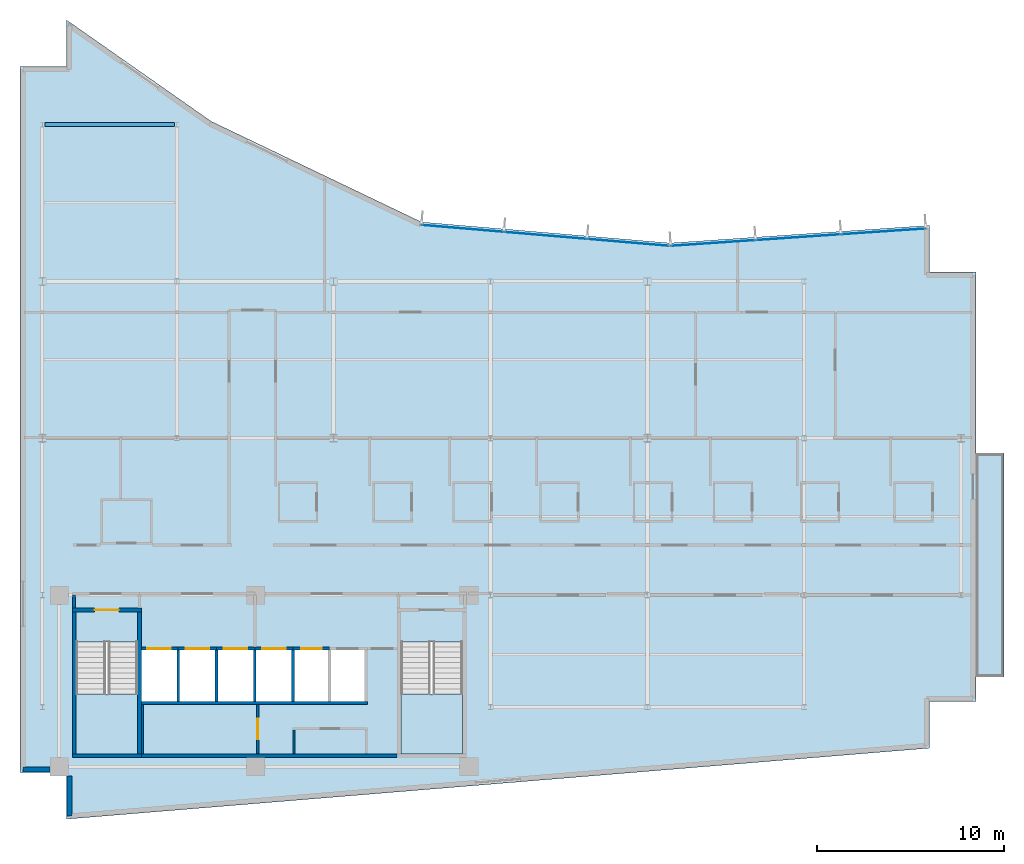
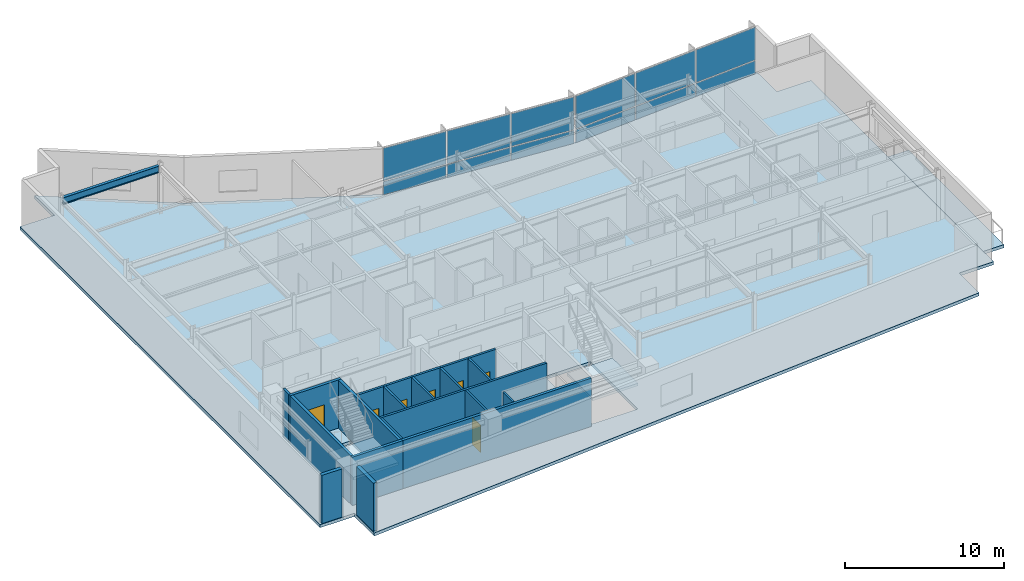
# One storey, part 8 of 15: 21 walls, 12 plates, 7 doors, 4 slabs, 1 beam, 7 openings, 4 elements without a shape of their own.
"""IFC4 building model written with IfcOpenShell, lengths in metres."""

from ifc_helpers import new_model, si_unit, direction, frame, frame_2d, origin, origin_2d, place, context, subcontext, project, spatial, polyline, rectangle, i_section, outline, extrude, material, layer, layer_set, material_profile, profile_set, type_object, element, fill, aggregate, save


model = new_model("IFC4")

# Units and contexts
model_context = context("Model", 3, precision=1e-05, world=origin(), true_north=direction((0.0, 1.0)))
body_context = subcontext(model_context, "Body", "Model", "MODEL_VIEW")
ifc_project = project(units=[si_unit("LENGTHUNIT", "METRE"), si_unit("AREAUNIT", "SQUARE_METRE"), si_unit("VOLUMEUNIT", "CUBIC_METRE"), si_unit("PLANEANGLEUNIT", "RADIAN"), si_unit("MASSUNIT", "GRAM", prefix="KILO")], contexts=[model_context])

# Site, building, storey
site_placement = place(None, origin())
site = spatial("IfcSite", under=ifc_project, at=site_placement, CompositionType="ELEMENT")
building_placement = place(site_placement, origin())
building = spatial("IfcBuilding", under=site, at=building_placement, Name="Varnakote Quay Hospital", CompositionType="ELEMENT")
storey_placement = place(building_placement, frame((0.0, 0.0, 196.050048828125)))
storey = spatial("IfcBuildingStorey", under=building, at=storey_placement, Name="L48", CompositionType="ELEMENT", Elevation=196.050048828125)

# Beam
ifc_material_1 = material(Name="Structural steel AS/NZS 3679.1 Grade 350 L0 (fy 340 MPa)", Category="steel")
ifc_material_profile = material_profile(ifc_material_1, i_section(OverallWidth=0.208984375, OverallDepth=0.532958984375, WebThickness=0.01025390625, FlangeThickness=0.015625, FilletRadius=0.013916015625, at=origin_2d()), Name="530UB92.4")
ifc_profile_set = profile_set([ifc_material_profile], Name="Structural steel AS/NZS 3679.1 Grade 350 L0 (fy 340 MPa)")
beam_type = type_object("IfcBeamType", Name="BM-STL-530UB92-4", PredefinedType="BEAM", material=ifc_profile_set)
beam_placement = place(storey_placement, frame((1.327880859375, 37.199951171875, 3.443359375), z_axis=(1.0, 0.0, 0.0), x_axis=(0.0, 1.0, 0.0)))
element("IfcBeam", 1, at=beam_placement, inside=storey, type_object=beam_type, Name="L48 Primary Floor Beam", PredefinedType="BEAM", context=body_context, shape_type="SweptSolid", body=[
    extrude(i_section(OverallWidth=0.208984375, OverallDepth=0.532958984375, WebThickness=0.01025390625, FlangeThickness=0.015625, FilletRadius=0.013916015625, at=origin_2d()), origin(), (0.0, 0.0, 1.0), 6.944091796875),
])

# Curtain wall, plates
ifc_material_2 = material(Name="Anodised aluminium 6063-T6 Bronze", Category="aluminium")
ifc_layer_1 = layer(ifc_material_2, 0.219970703125)
ifc_layer_set_1 = layer_set([ifc_layer_1], Name="Anodised aluminium 6063-T6 Bronze")
curtain_wall_type = type_object("IfcCurtainWallType", Name="CW-SYS-4", PredefinedType="NOTDEFINED", material=ifc_layer_set_1)
curtain_wall_1_placement = place(storey_placement, origin())
curtain_wall_1 = element("IfcCurtainWall", 2, at=curtain_wall_1_placement, inside=storey, type_object=curtain_wall_type, Name="L48 Unitised Bronze Curtain Wall 1", PredefinedType="NOTDEFINED")
ifc_material_3 = material(Name="Double-glazed low-E solar glass", Category="glass")
ifc_layer_2 = layer(ifc_material_3, 0.028076171875)
ifc_layer_set_2 = layer_set([ifc_layer_2], Name="Double-glazed low-E solar glass")
plate_type = type_object("IfcPlateType", Name="CW-PNL-GLZ-28", PredefinedType="CURTAIN_PANEL", material=ifc_layer_set_2)
plate_1_placement = place(storey_placement, frame((46.236328125, 31.47216796875, 0.06494140625), z_axis=(0.0, 0.0, 1.0), x_axis=(-0.997696087615, -0.067841851077, 0.0)))
plate_1 = element("IfcPlate", 3, at=plate_1_placement, type_object=plate_type, Name="-4-L48-1 panel 1.1", PredefinedType="CURTAIN_PANEL", context=body_context, shape_type="SweptSolid", body=[
    extrude(rectangle(XDim=4.48828125, YDim=0.028076171875, at=origin_2d()), origin(), (0.0, 0.0, 1.0), 1.00244140625),
])
plate_2_placement = place(storey_placement, frame((46.236328125, 31.47216796875, 1.13232421875), z_axis=(0.0, 0.0, 1.0), x_axis=(-0.997696087615, -0.067841851077, 0.0)))
plate_2 = element("IfcPlate", 4, at=plate_2_placement, type_object=plate_type, Name="-4-L48-1 panel 1.2", PredefinedType="CURTAIN_PANEL", context=body_context, shape_type="SweptSolid", body=[
    extrude(rectangle(XDim=4.48828125, YDim=0.028076171875, at=origin_2d()), origin(), (0.0, 0.0, 1.0), 2.512451171875),
])
plate_3_placement = place(storey_placement, frame((41.67724609375, 31.162109375, 0.06494140625), z_axis=(0.0, 0.0, 1.0), x_axis=(-0.997696087615, -0.067841851077, 0.0)))
plate_3 = element("IfcPlate", 5, at=plate_3_placement, type_object=plate_type, Name="-4-L48-1 panel 2.1", PredefinedType="CURTAIN_PANEL", context=body_context, shape_type="SweptSolid", body=[
    extrude(rectangle(XDim=4.520751953125, YDim=0.028076171875, at=origin_2d()), origin(), (0.0, 0.0, 1.0), 1.00244140625),
])
plate_4_placement = place(storey_placement, frame((41.67724609375, 31.162109375, 1.13232421875), z_axis=(0.0, 0.0, 1.0), x_axis=(-0.997696087615, -0.067841851077, 0.0)))
plate_4 = element("IfcPlate", 6, at=plate_4_placement, type_object=plate_type, Name="-4-L48-1 panel 2.2", PredefinedType="CURTAIN_PANEL", context=body_context, shape_type="SweptSolid", body=[
    extrude(rectangle(XDim=4.520751953125, YDim=0.028076171875, at=origin_2d()), origin(), (0.0, 0.0, 1.0), 2.512451171875),
])
plate_5_placement = place(storey_placement, frame((37.118408203125, 30.85205078125, 0.06494140625), z_axis=(0.0, 0.0, 1.0), x_axis=(-0.997696087615, -0.067841851077, 0.0)))
plate_5 = element("IfcPlate", 7, at=plate_5_placement, type_object=plate_type, Name="-4-L48-1 panel 3.1", PredefinedType="CURTAIN_PANEL", context=body_context, shape_type="SweptSolid", body=[
    extrude(rectangle(XDim=4.48828125, YDim=0.028076171875, at=origin_2d()), origin(), (0.0, 0.0, 1.0), 1.00244140625),
])
plate_6_placement = place(storey_placement, frame((37.118408203125, 30.85205078125, 1.13232421875), z_axis=(0.0, 0.0, 1.0), x_axis=(-0.997696087615, -0.067841851077, 0.0)))
plate_6 = element("IfcPlate", 8, at=plate_6_placement, type_object=plate_type, Name="-4-L48-1 panel 3.2", PredefinedType="CURTAIN_PANEL", context=body_context, shape_type="SweptSolid", body=[
    extrude(rectangle(XDim=4.48828125, YDim=0.028076171875, at=origin_2d()), origin(), (0.0, 0.0, 1.0), 2.512451171875),
])
aggregate(curtain_wall_1, [plate_1, plate_2, plate_3, plate_4, plate_5, plate_6])

curtain_wall_2_placement = place(storey_placement, origin())
curtain_wall_2 = element("IfcCurtainWall", 9, at=curtain_wall_2_placement, inside=storey, type_object=curtain_wall_type, Name="L48 Unitised Bronze Curtain Wall 2", PredefinedType="NOTDEFINED")
plate_7_placement = place(storey_placement, frame((32.572998046875, 30.884765625, 0.06494140625), z_axis=(0.0, 0.0, 1.0), x_axis=(-0.996454277304, 0.084136040089, 0.0)))
plate_7 = element("IfcPlate", 10, at=plate_7_placement, type_object=plate_type, Name="-4-L48-2 panel 1.1", PredefinedType="CURTAIN_PANEL", context=body_context, shape_type="SweptSolid", body=[
    extrude(rectangle(XDim=4.369384765625, YDim=0.028076171875, at=origin_2d()), origin(), (0.0, 0.0, 1.0), 1.00244140625),
])
plate_8_placement = place(storey_placement, frame((32.572998046875, 30.884765625, 1.13232421875), z_axis=(0.0, 0.0, 1.0), x_axis=(-0.996454277304, 0.084136040089, 0.0)))
plate_8 = element("IfcPlate", 11, at=plate_8_placement, type_object=plate_type, Name="-4-L48-2 panel 1.2", PredefinedType="CURTAIN_PANEL", context=body_context, shape_type="SweptSolid", body=[
    extrude(rectangle(XDim=4.369384765625, YDim=0.028076171875, at=origin_2d()), origin(), (0.0, 0.0, 1.0), 2.512451171875),
])
plate_9_placement = place(storey_placement, frame((28.137939453125, 31.25927734375, 0.06494140625), z_axis=(0.0, 0.0, 1.0), x_axis=(-0.996454277304, 0.084136040089, 0.0)))
plate_9 = element("IfcPlate", 12, at=plate_9_placement, type_object=plate_type, Name="-4-L48-2 panel 2.1", PredefinedType="CURTAIN_PANEL", context=body_context, shape_type="SweptSolid", body=[
    extrude(rectangle(XDim=4.40185546875, YDim=0.028076171875, at=origin_2d()), origin(), (0.0, 0.0, 1.0), 1.00244140625),
])
plate_10_placement = place(storey_placement, frame((28.137939453125, 31.25927734375, 1.13232421875), z_axis=(0.0, 0.0, 1.0), x_axis=(-0.996454277304, 0.084136040089, 0.0)))
plate_10 = element("IfcPlate", 13, at=plate_10_placement, type_object=plate_type, Name="-4-L48-2 panel 2.2", PredefinedType="CURTAIN_PANEL", context=body_context, shape_type="SweptSolid", body=[
    extrude(rectangle(XDim=4.40185546875, YDim=0.028076171875, at=origin_2d()), origin(), (0.0, 0.0, 1.0), 2.512451171875),
])
plate_11_placement = place(storey_placement, frame((23.703125, 31.6337890625, 0.06494140625), z_axis=(0.0, 0.0, 1.0), x_axis=(-0.996454277304, 0.084136040089, 0.0)))
plate_11 = element("IfcPlate", 14, at=plate_11_placement, type_object=plate_type, Name="-4-L48-2 panel 3.1", PredefinedType="CURTAIN_PANEL", context=body_context, shape_type="SweptSolid", body=[
    extrude(rectangle(XDim=4.369384765625, YDim=0.028076171875, at=origin_2d()), origin(), (0.0, 0.0, 1.0), 1.00244140625),
])
plate_12_placement = place(storey_placement, frame((23.703125, 31.6337890625, 1.13232421875), z_axis=(0.0, 0.0, 1.0), x_axis=(-0.996454277304, 0.084136040089, 0.0)))
plate_12 = element("IfcPlate", 15, at=plate_12_placement, type_object=plate_type, Name="-4-L48-2 panel 3.2", PredefinedType="CURTAIN_PANEL", context=body_context, shape_type="SweptSolid", body=[
    extrude(rectangle(XDim=4.369384765625, YDim=0.028076171875, at=origin_2d()), origin(), (0.0, 0.0, 1.0), 2.512451171875),
])
aggregate(curtain_wall_2, [plate_7, plate_8, plate_9, plate_10, plate_11, plate_12])

# Stair, slab
ifc_material_4 = material(Name="Concrete N40 (f'c 40 MPa)", Category="concrete")
stair_type = type_object("IfcStairType", Name="STR-CORE-1580", PredefinedType="HALF_TURN_STAIR", material=ifc_material_4)
stair_1_placement = place(storey_placement, origin())
stair_1 = element("IfcStair", 16, at=stair_1_placement, inside=storey, type_object=stair_type, Name="L48 Fire-Isolated Exit Stair ST-01", PredefinedType="HALF_TURN_STAIR")
ifc_material_5 = material(Name="Concrete N40 (f'c 40 MPa)", Category="concrete")
ifc_layer_3 = layer(ifc_material_5, 0.199951171875)
ifc_layer_set_3 = layer_set([ifc_layer_3], Name="Concrete N40 (f'c 40 MPa)")
slab_type_1 = type_object("IfcSlabType", Name="SLB-STAIR-LND-200", PredefinedType="LANDING", material=ifc_layer_set_3)
slab_1_placement = place(storey_placement, frame((0.0, 0.0, 1.77490234375)))
slab_1 = element("IfcSlab", 17, at=slab_1_placement, type_object=slab_type_1, Name="ST-01 landing 1", PredefinedType="LANDING", context=body_context, shape_type="SweptSolid", body=[
    extrude(outline(polyline([(3.0, 6.699951171875), (3.0, 3.5), (6.300048828125, 3.5), (6.300048828125, 6.699951171875), (3.0, 6.699951171875)])), origin(), (0.0, 0.0, 1.0), 0.199951171875),
])
aggregate(stair_1, [slab_1])

stair_2_placement = place(storey_placement, origin())
stair_2 = element("IfcStair", 18, at=stair_2_placement, inside=storey, type_object=stair_type, Name="L48 Fire-Isolated Exit Stair ST-02", PredefinedType="HALF_TURN_STAIR")
slab_2_placement = place(storey_placement, frame((0.0, 0.0, 1.77490234375)))
slab_2 = element("IfcSlab", 19, at=slab_2_placement, type_object=slab_type_1, Name="ST-02 landing 1", PredefinedType="LANDING", context=body_context, shape_type="SweptSolid", body=[
    extrude(outline(polyline([(20.39990234375, 6.699951171875), (20.39990234375, 3.5), (23.699951171875, 3.5), (23.699951171875, 6.699951171875), (20.39990234375, 6.699951171875)])), origin(), (0.0, 0.0, 1.0), 0.199951171875),
])
aggregate(stair_2, [slab_2])

# Slabs
ifc_material_6 = material(Name="Concrete N50 (f'c 50 MPa)", Category="concrete")
ifc_layer_4 = layer(ifc_material_6, 0.239990234375)
ifc_layer_set_4 = layer_set([ifc_layer_4], Name="Concrete N50 (f'c 50 MPa)")
slab_type_2 = type_object("IfcSlabType", Name="SLB-TERR-200", PredefinedType="FLOOR", material=ifc_layer_set_4)
slab_3_placement = place(storey_placement, frame((0.0, 0.0, -0.239990234375)))
element("IfcSlab", 20, at=slab_3_placement, inside=storey, type_object=slab_type_2, Name="L48 Waterfront Healing Terrace Slab", PredefinedType="FLOOR", context=body_context, shape_type="SweptSolid", body=[
    extrude(outline(polyline([(51.196044921875, 19.60009765625), (51.196044921875, 7.60009765625), (52.699951171875, 7.60009765625), (52.699951171875, 19.60009765625), (51.196044921875, 19.60009765625)])), origin(), (0.0, 0.0, 1.0), 0.239990234375),
])
ifc_material_7 = material(Name="Concrete N50 (f'c 50 MPa)", Category="concrete")
ifc_layer_5 = layer(ifc_material_7, 0.239990234375)
ifc_layer_set_5 = layer_set([ifc_layer_5], Name="Concrete N50 (f'c 50 MPa)")
slab_type_3 = type_object("IfcSlabType", Name="SLB-WARD-200", PredefinedType="FLOOR", material=ifc_layer_set_5)
slab_4_placement = place(storey_placement, frame((0.0, 0.0, -0.239990234375)))
element("IfcSlab", 21, at=slab_4_placement, inside=storey, type_object=slab_type_3, Name="L48 Primary Floor Slab", PredefinedType="FLOOR", context=body_context, shape_type="SweptSolid", body=[
    extrude(outline(polyline([(0.0, 2.5), (2.5, 2.5), (2.5, 0.0), (48.699951171875, 3.800048828125), (48.699951171875, 6.300048828125), (51.199951171875, 6.300048828125), (51.199951171875, 29.300048828125), (48.699951171875, 29.300048828125), (48.699951171875, 31.800048828125), (34.81591796875, 30.85595703125), (21.50390625, 31.97998046875), (10.239990234375, 37.3759765625), (2.5, 42.800048828125), (2.5, 40.300048828125), (0.0, 40.300048828125), (0.0, 2.5)]), holes=[polyline([(3.0, 3.5), (6.300048828125, 3.5), (6.300048828125, 9.49951171875), (3.0, 9.49951171875), (3.0, 3.5)]), polyline([(20.39990234375, 3.5), (23.699951171875, 3.5), (23.699951171875, 9.49951171875), (20.39990234375, 9.49951171875), (20.39990234375, 3.5)]), polyline([(6.5, 6.300048828125), (8.39990234375, 6.300048828125), (8.39990234375, 9.050048828125), (6.5, 9.050048828125), (6.5, 6.300048828125)]), polyline([(8.550048828125, 6.300048828125), (10.449951171875, 6.300048828125), (10.449951171875, 9.050048828125), (8.550048828125, 9.050048828125), (8.550048828125, 6.300048828125)]), polyline([(10.60009765625, 6.300048828125), (12.5, 6.300048828125), (12.5, 9.050048828125), (10.60009765625, 9.050048828125), (10.60009765625, 6.300048828125)]), polyline([(12.64990234375, 6.300048828125), (14.550048828125, 6.300048828125), (14.550048828125, 9.050048828125), (12.64990234375, 9.050048828125), (12.64990234375, 6.300048828125)]), polyline([(14.699951171875, 6.300048828125), (16.5, 6.300048828125), (16.5, 9.050048828125), (14.699951171875, 9.050048828125), (14.699951171875, 6.300048828125)]), polyline([(16.64990234375, 6.300048828125), (18.449951171875, 6.300048828125), (18.449951171875, 9.050048828125), (16.64990234375, 9.050048828125), (16.64990234375, 6.300048828125)])]), origin(), (0.0, 0.0, 1.0), 0.239990234375),
])

# Walls
ifc_material_8 = material(Name="Fire-rated acoustic gypsum stud wall", Category="gypsum")
ifc_layer_6 = layer(ifc_material_8, 0.159912109375)
ifc_layer_set_6 = layer_set([ifc_layer_6], Name="Fire-rated acoustic gypsum stud wall")
wall_type_1 = type_object("IfcWallType", Name="WL-COMP-160", PredefinedType="PARTITIONING", material=ifc_layer_set_6)
wall_1_placement = place(storey_placement, frame((2.8798828125, 11.300048828125, 0.0), z_axis=(0.0, 0.0, 1.0), x_axis=(0.0, 1.0, 0.0)))
element("IfcWall", 22, at=wall_1_placement, inside=storey, type_object=wall_type_1, Name="L48 West Stair Vestibule West Wall", PredefinedType="PARTITIONING", context=body_context, shape_type="SweptSolid", body=[
    extrude(rectangle(XDim=0.699951171875, YDim=0.159912109375, at=frame_2d((0.35009765625, 0.0))), origin(), (0.0, 0.0, 1.0), 3.7099609375),
])
ifc_material_9 = material(Name="Concrete N50 (f'c 50 MPa)", Category="concrete")
ifc_layer_7 = layer(ifc_material_9, 0.199951171875)
ifc_layer_set_7 = layer_set([ifc_layer_7], Name="Concrete N50 (f'c 50 MPa)")
wall_type_2 = type_object("IfcWallType", Name="WL-CORE-N50-200", PredefinedType="SHEAR", material=ifc_layer_set_7)
wall_2_placement = place(storey_placement, frame((6.5, 3.39990234375, 0.0), z_axis=(0.0, 0.0, 1.0), x_axis=(1.0, 0.0, 0.0)))
element("IfcWall", 23, at=wall_2_placement, inside=storey, type_object=wall_type_2, Name="L48 Rear Core South Shear Wall", PredefinedType="SHEAR", context=body_context, shape_type="SweptSolid", body=[
    extrude(rectangle(XDim=13.699951171875, YDim=0.199951171875, at=frame_2d((6.85009765625, 0.0))), origin(), (0.0, 0.0, 1.0), 3.7099609375),
])
ifc_material_10 = material(Name="Precast concrete N50 (f'c 50 MPa)", Category="concrete")
ifc_layer_8 = layer(ifc_material_10, 0.260009765625)
ifc_layer_set_8 = layer_set([ifc_layer_8], Name="Precast concrete N50 (f'c 50 MPa)")
wall_type_3 = type_object("IfcWallType", Name="WL-EXT-BRICK-260", PredefinedType="STANDARD", material=ifc_layer_set_8)
wall_3_placement = place(storey_placement, frame((2.659912109375, 2.31494140625, 0.0), z_axis=(0.0, 0.0, 1.0), x_axis=(0.0, -1.0, 0.0)))
element("IfcWall", 24, at=wall_3_placement, inside=storey, type_object=wall_type_3, Name="L48 Brick-Faced Precast Exterior Wall", PredefinedType="STANDARD", context=body_context, shape_type="SweptSolid", body=[
    extrude(rectangle(XDim=2.141357421875, YDim=0.260009765625, at=frame_2d((1.07080078125, 0.0))), origin(), (0.0, 0.0, 1.0), 3.7099609375),
])
wall_4_placement = place(storey_placement, frame((0.159912109375, 2.659912109375, 0.0), z_axis=(0.0, 0.0, 1.0), x_axis=(1.0, 0.0, 0.0)))
element("IfcWall", 25, at=wall_4_placement, inside=storey, type_object=wall_type_3, Name="L48 Brick-Faced Precast Exterior Wall", PredefinedType="STANDARD", context=body_context, shape_type="SweptSolid", body=[
    extrude(rectangle(XDim=1.455078125, YDim=0.260009765625, at=frame_2d((0.7275390625, 0.0))), origin(), (0.0, 0.0, 1.0), 3.7099609375),
])
ifc_material_11 = material(Name="Concrete N50 (f'c 50 MPa)", Category="concrete")
ifc_layer_9 = layer(ifc_material_11, 0.14990234375)
ifc_layer_set_9 = layer_set([ifc_layer_9], Name="Concrete N50 (f'c 50 MPa)")
wall_type_4 = type_object("IfcWallType", Name="WL-SHAFT-N50-150", PredefinedType="SHEAR", material=ifc_layer_set_9)
for number, where, z_axis, x_axis, name in (
    (26, (8.47509765625, 6.300048828125, 0.0), (0.0, 0.0, 1.0), (0.0, 1.0, 0.0), "L48 LF-FF1 Hoistway Divider Wall"),
    (27, (10.52490234375, 6.300048828125, 0.0), (0.0, 0.0, 1.0), (0.0, 1.0, 0.0), "L48 LF-FF2 Hoistway Divider Wall"),
    (28, (12.574951171875, 6.300048828125, 0.0), (0.0, 0.0, 1.0), (0.0, 1.0, 0.0), "L48 LF-SV1 Hoistway Divider Wall"),
    (29, (14.625, 6.300048828125, 0.0), (0.0, 0.0, 1.0), (0.0, 1.0, 0.0), "L48 LF-SV2 Hoistway Divider Wall"),
):
    element("IfcWall", number, at=place(storey_placement, frame(where, z_axis=z_axis, x_axis=x_axis)), inside=storey, type_object=wall_type_4, Name=name, PredefinedType="SHEAR", context=body_context, shape_type="SweptSolid", body=[
        extrude(rectangle(XDim=2.75, YDim=0.14990234375, at=frame_2d((1.375, 0.0))), origin(), (0.0, 0.0, 1.0), 3.7099609375),
    ])
ifc_material_12 = material(Name="Concrete N50 (f'c 50 MPa)", Category="concrete")
ifc_layer_10 = layer(ifc_material_12, 0.159912109375)
ifc_layer_set_10 = layer_set([ifc_layer_10], Name="Concrete N50 (f'c 50 MPa)")
wall_type_5 = type_object("IfcWallType", Name="WL-SHAFT-N50-160", PredefinedType="SHEAR", material=ifc_layer_set_10)
wall_5_placement = place(storey_placement, frame((6.5, 6.219970703125, 0.0), z_axis=(0.0, 0.0, 1.0), x_axis=(1.0, 0.0, 0.0)))
element("IfcWall", 30, at=wall_5_placement, inside=storey, type_object=wall_type_5, Name="L48 REAR Lift Bank Back Shear Wall", PredefinedType="SHEAR", context=body_context, shape_type="SweptSolid", body=[
    extrude(rectangle(XDim=12.110107421875, YDim=0.159912109375, at=frame_2d((6.05517578125, 0.0))), origin(), (0.0, 0.0, 1.0), 3.7099609375),
])

# Wall, opening, door
wall_6_placement = place(storey_placement, frame((6.5, 9.1298828125, 0.0), z_axis=(0.0, 0.0, 1.0), x_axis=(1.0, 0.0, 0.0)))
wall_6 = element("IfcWall", 31, at=wall_6_placement, inside=storey, type_object=wall_type_5, Name="L48 LF-FF1 Hoistway Front Wall", PredefinedType="SHEAR", context=body_context, shape_type="SweptSolid", body=[
    extrude(rectangle(XDim=1.97509765625, YDim=0.159912109375, at=frame_2d((0.987548828125, 0.0))), origin(), (0.0, 0.0, 1.0), 3.7099609375),
])
opening_1_placement = place(wall_6_placement, frame((0.324951171875, 0.0, 0.0)))
opening_1 = element("IfcOpeningElement", 32, at=opening_1_placement, cuts=wall_6, Name="Opening LD-FF1-L48", PredefinedType="OPENING", context=body_context, shape_type="SweptSolid", body=[
    extrude(rectangle(XDim=1.25, YDim=2.14990234375, at=frame_2d((0.625, 1.074951171875))), frame((0.0, 0.08984375, 0.0), z_axis=(0.0, -1.0, 0.0), x_axis=(1.0, 0.0, 0.0)), (0.0, 0.0, 1.0), 0.179931640625),
])
ifc_material_13 = material(Name="Stainless steel lift landing sliding door", Category="steel")
door_type_1 = type_object("IfcDoorType", Name="DR-LIFT-LD-1250x2150", OperationType="NOTDEFINED", PredefinedType="DOOR", material=ifc_material_13)
door_1_placement = place(opening_1_placement, origin())
door_1 = element("IfcDoor", 33, at=door_1_placement, inside=storey, type_object=door_type_1, Name="L48 LF-FF1 Lift Landing Sliding Door", OperationType="SLIDING_TO_LEFT", OverallHeight=2.14990234375, OverallWidth=1.25, PredefinedType="DOOR", context=body_context, shape_type="SweptSolid", body=[
    extrude(rectangle(XDim=1.25, YDim=2.14990234375, at=frame_2d((0.625, 1.074951171875))), frame((0.0, 0.02490234375, 0.0), z_axis=(0.0, -1.0, 0.0), x_axis=(1.0, 0.0, 0.0)), (0.0, 0.0, 1.0), 0.050048828125),
])
fill(opening_1, door_1)

wall_7_placement = place(storey_placement, frame((8.47509765625, 9.1298828125, 0.0), z_axis=(0.0, 0.0, 1.0), x_axis=(1.0, 0.0, 0.0)))
wall_7 = element("IfcWall", 34, at=wall_7_placement, inside=storey, type_object=wall_type_5, Name="L48 LF-FF2 Hoistway Front Wall", PredefinedType="SHEAR", context=body_context, shape_type="SweptSolid", body=[
    extrude(rectangle(XDim=2.0498046875, YDim=0.159912109375, at=frame_2d((1.02490234375, 0.0))), origin(), (0.0, 0.0, 1.0), 3.7099609375),
])
opening_2_placement = place(wall_7_placement, frame((0.39990234375, 0.0, 0.0)))
opening_2 = element("IfcOpeningElement", 35, at=opening_2_placement, cuts=wall_7, Name="Opening LD-FF2-L48", PredefinedType="OPENING", context=body_context, shape_type="SweptSolid", body=[
    extrude(rectangle(XDim=1.25, YDim=2.14990234375, at=frame_2d((0.625, 1.074951171875))), frame((0.0, 0.08984375, 0.0), z_axis=(0.0, -1.0, 0.0), x_axis=(1.0, 0.0, 0.0)), (0.0, 0.0, 1.0), 0.179931640625),
])
door_2_placement = place(opening_2_placement, origin())
door_2 = element("IfcDoor", 36, at=door_2_placement, inside=storey, type_object=door_type_1, Name="L48 LF-FF2 Lift Landing Sliding Door", OperationType="SLIDING_TO_LEFT", OverallHeight=2.14990234375, OverallWidth=1.25, PredefinedType="DOOR", context=body_context, shape_type="SweptSolid", body=[
    extrude(rectangle(XDim=1.25, YDim=2.14990234375, at=frame_2d((0.625, 1.074951171875))), frame((0.0, 0.02490234375, 0.0), z_axis=(0.0, -1.0, 0.0), x_axis=(1.0, 0.0, 0.0)), (0.0, 0.0, 1.0), 0.050048828125),
])
fill(opening_2, door_2)

wall_8_placement = place(storey_placement, frame((10.52490234375, 9.1298828125, 0.0), z_axis=(0.0, 0.0, 1.0), x_axis=(1.0, 0.0, 0.0)))
wall_8 = element("IfcWall", 37, at=wall_8_placement, inside=storey, type_object=wall_type_5, Name="L48 LF-SV1 Hoistway Front Wall", PredefinedType="SHEAR", context=body_context, shape_type="SweptSolid", body=[
    extrude(rectangle(XDim=2.050048828125, YDim=0.159912109375, at=frame_2d((1.02490234375, 0.0))), origin(), (0.0, 0.0, 1.0), 3.7099609375),
])
opening_3_placement = place(wall_8_placement, frame((0.39990234375, 0.0, 0.0)))
opening_3 = element("IfcOpeningElement", 38, at=opening_3_placement, cuts=wall_8, Name="Opening LD-SV1-L48", PredefinedType="OPENING", context=body_context, shape_type="SweptSolid", body=[
    extrude(rectangle(XDim=1.25, YDim=2.14990234375, at=frame_2d((0.625, 1.074951171875))), frame((0.0, 0.08984375, 0.0), z_axis=(0.0, -1.0, 0.0), x_axis=(1.0, 0.0, 0.0)), (0.0, 0.0, 1.0), 0.179931640625),
])
door_3_placement = place(opening_3_placement, origin())
door_3 = element("IfcDoor", 39, at=door_3_placement, inside=storey, type_object=door_type_1, Name="L48 LF-SV1 Lift Landing Sliding Door", OperationType="SLIDING_TO_LEFT", OverallHeight=2.14990234375, OverallWidth=1.25, PredefinedType="DOOR", context=body_context, shape_type="SweptSolid", body=[
    extrude(rectangle(XDim=1.25, YDim=2.14990234375, at=frame_2d((0.625, 1.074951171875))), frame((0.0, 0.02490234375, 0.0), z_axis=(0.0, -1.0, 0.0), x_axis=(1.0, 0.0, 0.0)), (0.0, 0.0, 1.0), 0.050048828125),
])
fill(opening_3, door_3)

wall_9_placement = place(storey_placement, frame((12.574951171875, 9.1298828125, 0.0), z_axis=(0.0, 0.0, 1.0), x_axis=(1.0, 0.0, 0.0)))
wall_9 = element("IfcWall", 40, at=wall_9_placement, inside=storey, type_object=wall_type_5, Name="L48 LF-SV2 Hoistway Front Wall", PredefinedType="SHEAR", context=body_context, shape_type="SweptSolid", body=[
    extrude(rectangle(XDim=2.050048828125, YDim=0.159912109375, at=frame_2d((1.02490234375, 0.0))), origin(), (0.0, 0.0, 1.0), 3.7099609375),
])
opening_4_placement = place(wall_9_placement, frame((0.39990234375, 0.0, 0.0)))
opening_4 = element("IfcOpeningElement", 41, at=opening_4_placement, cuts=wall_9, Name="Opening LD-SV2-L48", PredefinedType="OPENING", context=body_context, shape_type="SweptSolid", body=[
    extrude(rectangle(XDim=1.25, YDim=2.14990234375, at=frame_2d((0.625, 1.074951171875))), frame((0.0, 0.08984375, 0.0), z_axis=(0.0, -1.0, 0.0), x_axis=(1.0, 0.0, 0.0)), (0.0, 0.0, 1.0), 0.179931640625),
])
door_4_placement = place(opening_4_placement, origin())
door_4 = element("IfcDoor", 42, at=door_4_placement, inside=storey, type_object=door_type_1, Name="L48 LF-SV2 Lift Landing Sliding Door", OperationType="SLIDING_TO_LEFT", OverallHeight=2.14990234375, OverallWidth=1.25, PredefinedType="DOOR", context=body_context, shape_type="SweptSolid", body=[
    extrude(rectangle(XDim=1.25, YDim=2.14990234375, at=frame_2d((0.625, 1.074951171875))), frame((0.0, 0.02490234375, 0.0), z_axis=(0.0, -1.0, 0.0), x_axis=(1.0, 0.0, 0.0)), (0.0, 0.0, 1.0), 0.050048828125),
])
fill(opening_4, door_4)

wall_10_placement = place(storey_placement, frame((14.625, 9.1298828125, 0.0), z_axis=(0.0, 0.0, 1.0), x_axis=(1.0, 0.0, 0.0)))
wall_10 = element("IfcWall", 43, at=wall_10_placement, inside=storey, type_object=wall_type_5, Name="L48 LF-PH1 Hoistway Front Wall", PredefinedType="SHEAR", context=body_context, shape_type="SweptSolid", body=[
    extrude(rectangle(XDim=1.949951171875, YDim=0.159912109375, at=frame_2d((0.97509765625, 0.0))), origin(), (0.0, 0.0, 1.0), 3.7099609375),
])
opening_5_placement = place(wall_10_placement, frame((0.425048828125, 0.0, 0.0)))
opening_5 = element("IfcOpeningElement", 44, at=opening_5_placement, cuts=wall_10, Name="Opening LD-PH1-L48", PredefinedType="OPENING", context=body_context, shape_type="SweptSolid", body=[
    extrude(rectangle(XDim=1.10009765625, YDim=2.14990234375, at=frame_2d((0.550048828125, 1.074951171875))), frame((0.0, 0.08984375, 0.0), z_axis=(0.0, -1.0, 0.0), x_axis=(1.0, 0.0, 0.0)), (0.0, 0.0, 1.0), 0.179931640625),
])
ifc_material_14 = material(Name="Brushed bronze lift landing sliding door")
door_type_2 = type_object("IfcDoorType", Name="DR-LIFT-LD-1100x2150", OperationType="NOTDEFINED", PredefinedType="DOOR", material=ifc_material_14)
door_5_placement = place(opening_5_placement, origin())
door_5 = element("IfcDoor", 45, at=door_5_placement, inside=storey, type_object=door_type_2, Name="L48 LF-PH1 Lift Landing Sliding Door", OperationType="SLIDING_TO_LEFT", OverallHeight=2.14990234375, OverallWidth=1.10009765625, PredefinedType="DOOR", context=body_context, shape_type="SweptSolid", body=[
    extrude(rectangle(XDim=1.10009765625, YDim=2.14990234375, at=frame_2d((0.550048828125, 1.074951171875))), frame((0.0, 0.02490234375, 0.0), z_axis=(0.0, -1.0, 0.0), x_axis=(1.0, 0.0, 0.0)), (0.0, 0.0, 1.0), 0.050048828125),
])
fill(opening_5, door_5)

# Walls
ifc_material_15 = material(Name="Concrete N50 (f'c 50 MPa)", Category="concrete")
ifc_layer_11 = layer(ifc_material_15, 0.199951171875)
ifc_layer_set_11 = layer_set([ifc_layer_11], Name="Concrete N50 (f'c 50 MPa)")
wall_type_6 = type_object("IfcWallType", Name="WL-SHAFT-N50-200", PredefinedType="SHEAR", material=ifc_layer_set_11)
wall_11_placement = place(storey_placement, frame((2.800048828125, 3.39990234375, 0.0), z_axis=(0.0, 0.0, 1.0), x_axis=(1.0, 0.0, 0.0)))
element("IfcWall", 46, at=wall_11_placement, inside=storey, type_object=wall_type_6, Name="L48 Stair ST1 South Shaft Wall", PredefinedType="SHEAR", context=body_context, shape_type="SweptSolid", body=[
    extrude(rectangle(XDim=3.699951171875, YDim=0.199951171875, at=frame_2d((1.85009765625, 0.0))), origin(), (0.0, 0.0, 1.0), 3.7099609375),
])
for number, where, z_axis, x_axis, name in (
    (47, (2.89990234375, 3.5, 0.0), (0.0, 0.0, 1.0), (0.0, 1.0, 0.0), "L48 Stair ST1 West Shaft Wall"),
    (48, (6.39990234375, 3.5, 0.0), (0.0, 0.0, 1.0), (0.0, 1.0, 0.0), "L48 Stair ST1 East Shaft Wall"),
):
    element("IfcWall", number, at=place(storey_placement, frame(where, z_axis=z_axis, x_axis=x_axis)), inside=storey, type_object=wall_type_6, Name=name, PredefinedType="SHEAR", context=body_context, shape_type="SweptSolid", body=[
        extrude(rectangle(XDim=7.60009765625, YDim=0.199951171875, at=frame_2d((3.800048828125, 0.0))), origin(), (0.0, 0.0, 1.0), 3.7099609375),
    ])

# Wall, opening, door
wall_12_placement = place(storey_placement, frame((2.800048828125, 11.199951171875, 0.0), z_axis=(0.0, 0.0, 1.0), x_axis=(1.0, 0.0, 0.0)))
wall_12 = element("IfcWall", 49, at=wall_12_placement, inside=storey, type_object=wall_type_6, Name="L48 Stair ST1 Exit Wall", PredefinedType="SHEAR", context=body_context, shape_type="SweptSolid", body=[
    extrude(rectangle(XDim=3.699951171875, YDim=0.199951171875, at=frame_2d((1.85009765625, 0.0))), origin(), (0.0, 0.0, 1.0), 3.7099609375),
])
opening_6_placement = place(wall_12_placement, frame((1.199951171875, 0.0, 0.0)))
opening_6 = element("IfcOpeningElement", 50, at=opening_6_placement, cuts=wall_12, Name="Opening D-ST1-L48", PredefinedType="OPENING", context=body_context, shape_type="SweptSolid", body=[
    extrude(rectangle(XDim=1.300048828125, YDim=2.14990234375, at=frame_2d((0.64990234375, 1.074951171875))), frame((0.0, 0.10986328125, 0.0), z_axis=(0.0, -1.0, 0.0), x_axis=(1.0, 0.0, 0.0)), (0.0, 0.0, 1.0), 0.219970703125),
])
ifc_material_16 = material(Name="Fire-rated ceramic-glazed timber exit door", Category="wood")
door_type_3 = type_object("IfcDoorType", Name="DR-STAIR-FD60S-1300x2150", OperationType="NOTDEFINED", PredefinedType="DOOR", material=ifc_material_16)
door_6_placement = place(opening_6_placement, origin())
door_6 = element("IfcDoor", 51, at=door_6_placement, inside=storey, type_object=door_type_3, Name="L48 Stair ST1 Fire Exit Door", OperationType="SINGLE_SWING_RIGHT", OverallHeight=2.14990234375, OverallWidth=1.300048828125, PredefinedType="DOOR", context=body_context, shape_type="SweptSolid", body=[
    extrude(rectangle(XDim=1.300048828125, YDim=2.14990234375, at=frame_2d((0.64990234375, 1.074951171875))), frame((0.0, 0.02490234375, 0.0), z_axis=(0.0, -1.0, 0.0), x_axis=(1.0, 0.0, 0.0)), (0.0, 0.0, 1.0), 0.050048828125),
])
fill(opening_6, door_6)

# Walls
ifc_material_17 = material(Name="Smoke-proof clinical partition", Category="gypsum")
ifc_layer_12 = layer(ifc_material_17, 0.1201171875)
ifc_layer_set_12 = layer_set([ifc_layer_12], Name="Smoke-proof clinical partition")
wall_type_7 = type_object("IfcWallType", Name="WL-SMOKE-120", PredefinedType="PARTITIONING", material=ifc_layer_set_12)
wall_13_placement = place(storey_placement, frame((6.56005859375, 3.52001953125, 0.0), z_axis=(0.0, 0.0, 1.0), x_axis=(0.0, 1.0, 0.0)))
element("IfcWall", 52, at=wall_13_placement, inside=storey, type_object=wall_type_7, Name="L48 Core West Store West Wall", PredefinedType="PARTITIONING", context=body_context, shape_type="SweptSolid", body=[
    extrude(rectangle(XDim=2.619873046875, YDim=0.1201171875, at=frame_2d((1.31005859375, 0.0))), origin(), (0.0, 0.0, 1.0), 3.7099609375),
])
wall_14_placement = place(storey_placement, frame((14.669921875, 3.52001953125, 0.0), z_axis=(0.0, 0.0, 1.0), x_axis=(0.0, 1.0, 0.0)))
element("IfcWall", 53, at=wall_14_placement, inside=storey, type_object=wall_type_7, Name="L48 Core WC West Wall", PredefinedType="PARTITIONING", context=body_context, shape_type="SweptSolid", body=[
    extrude(rectangle(XDim=1.260009765625, YDim=0.1201171875, at=frame_2d((0.6298828125, 0.0))), origin(), (0.0, 0.0, 1.0), 3.7099609375),
])

# Wall, opening, door
ifc_material_18 = material(Name="Fire-rated clinical gypsum partition", Category="gypsum")
ifc_layer_13 = layer(ifc_material_18, 0.139892578125)
ifc_layer_set_13 = layer_set([ifc_layer_13], Name="Fire-rated clinical gypsum partition")
wall_type_8 = type_object("IfcWallType", Name="WL-WARD-140", PredefinedType="PARTITIONING", material=ifc_layer_set_13)
wall_15_placement = place(storey_placement, frame((12.72998046875, 3.52001953125, 0.0), z_axis=(0.0, 0.0, 1.0), x_axis=(0.0, 1.0, 0.0)))
wall_15 = element("IfcWall", 54, at=wall_15_placement, inside=storey, type_object=wall_type_8, Name="L48 Core Clean Equipment Store East Wall", PredefinedType="PARTITIONING", context=body_context, shape_type="SweptSolid", body=[
    extrude(rectangle(XDim=2.619873046875, YDim=0.139892578125, at=frame_2d((1.31005859375, 0.0))), origin(), (0.0, 0.0, 1.0), 3.7099609375),
])
opening_7_placement = place(wall_15_placement, frame((0.760009765625, 0.0, 0.0)))
opening_7 = element("IfcOpeningElement", 55, at=opening_7_placement, cuts=wall_15, Name="Opening D-L48-CR01", PredefinedType="OPENING", context=body_context, shape_type="SweptSolid", body=[
    extrude(rectangle(XDim=1.10009765625, YDim=2.10009765625, at=frame_2d((0.550048828125, 1.050048828125))), frame((0.0, 0.079833984375, 0.0), z_axis=(0.0, -1.0, 0.0), x_axis=(1.0, 0.0, 0.0)), (0.0, 0.0, 1.0), 0.159912109375),
])
ifc_material_19 = material(Name="Acoustic timber clinical consult door", Category="wood")
door_type_4 = type_object("IfcDoorType", Name="DR-CLIN-FD30S-1100x2100", OperationType="NOTDEFINED", PredefinedType="DOOR", material=ifc_material_19)
door_7_placement = place(opening_7_placement, origin())
door_7 = element("IfcDoor", 56, at=door_7_placement, inside=storey, type_object=door_type_4, Name="L48 Core Clean Equipment Store Door", OperationType="SINGLE_SWING_RIGHT", OverallHeight=2.10009765625, OverallWidth=1.10009765625, PredefinedType="DOOR", context=body_context, shape_type="SweptSolid", body=[
    extrude(rectangle(XDim=1.10009765625, YDim=2.10009765625, at=frame_2d((0.550048828125, 1.050048828125))), frame((0.0, 0.02490234375, 0.0), z_axis=(0.0, -1.0, 0.0), x_axis=(1.0, 0.0, 0.0)), (0.0, 0.0, 1.0), 0.050048828125),
])
fill(opening_7, door_7)

save(model, "model.ifc")
